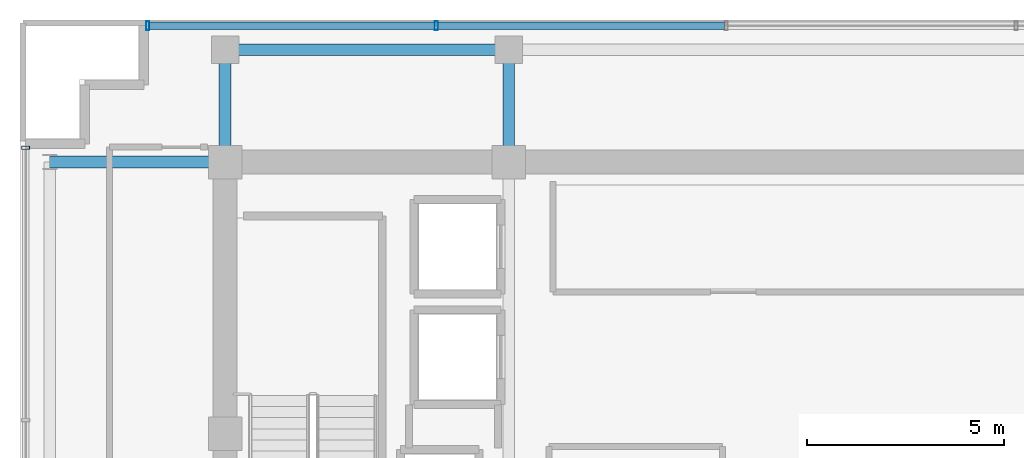
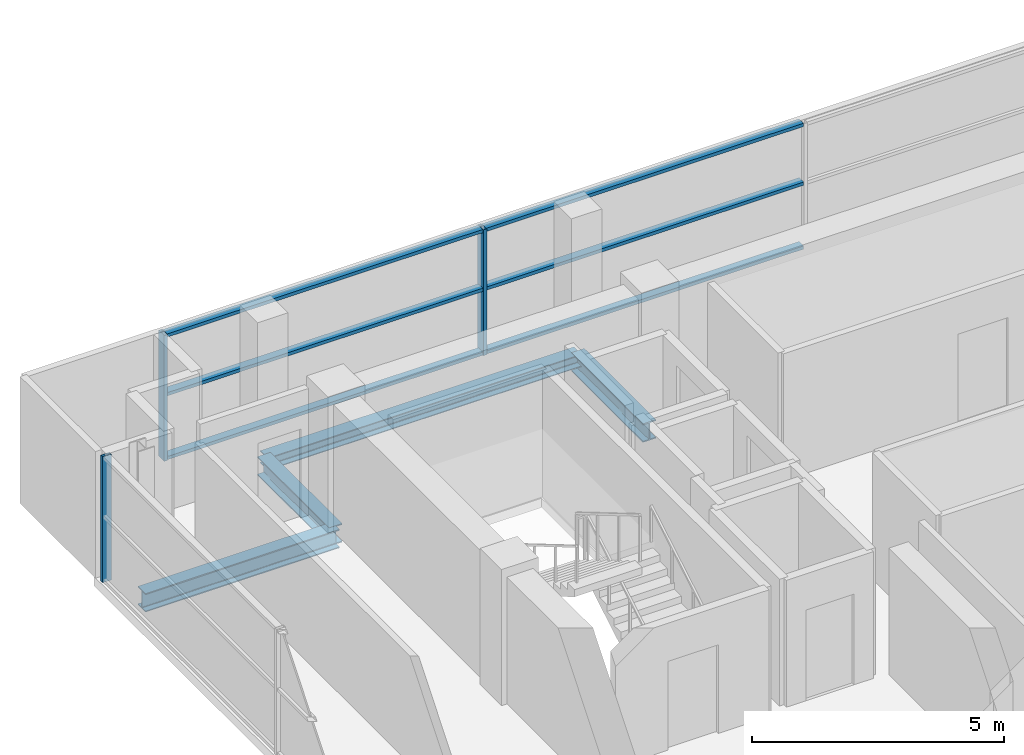
# One storey, part 10 of 22: 9 members, 4 beams, 2 elements without a shape of their own.
"""IFC4 building model written with IfcOpenShell, lengths in metres."""

from ifc_helpers import new_model, si_unit, direction, frame, origin, origin_2d, place, context, subcontext, project, spatial, hollow_rectangle, i_section, extrude, source, transform, mapped, material, layer, layer_set, material_profile, profile_set, type_object, element, aggregate, save


model = new_model("IFC4")

# Units and contexts
model_context = context("Model", 3, precision=1e-05, world=origin(), true_north=direction((0.0, 1.0)))
body_context = subcontext(model_context, "Body", "Model", "MODEL_VIEW")
ifc_project = project(units=[si_unit("LENGTHUNIT", "METRE"), si_unit("AREAUNIT", "SQUARE_METRE"), si_unit("VOLUMEUNIT", "CUBIC_METRE"), si_unit("PLANEANGLEUNIT", "RADIAN"), si_unit("MASSUNIT", "GRAM", prefix="KILO")], contexts=[model_context])

# Site, building, storey
site_placement = place(None, origin())
site = spatial("IfcSite", under=ifc_project, at=site_placement, CompositionType="ELEMENT")
building_placement = place(site_placement, origin())
building = spatial("IfcBuilding", under=site, at=building_placement, Name="Zarnakvel Exchange Tower", CompositionType="ELEMENT")
storey_placement = place(building_placement, frame((0.0, 0.0, 251.800048828125)))
storey = spatial("IfcBuildingStorey", under=building, at=storey_placement, Name="L71", CompositionType="ELEMENT", Elevation=251.800048828125)

# Beams
ifc_material_1 = material(Name="Steel S355", Category="steel")
ifc_material_profile_1 = material_profile(ifc_material_1, i_section(OverallWidth=0.300048828125, OverallDepth=0.449951171875, WebThickness=0.013916015625, FlangeThickness=0.02587890625, FilletRadius=0.027099609375, at=origin_2d()))
ifc_profile_set_1 = profile_set([ifc_material_profile_1], Name="Steel S355")
beam_type_1 = type_object("IfcBeamType", Name="G-07", PredefinedType="BEAM", material=ifc_profile_set_1)
beam_1_placement = place(storey_placement, frame((-18.85009765625, 13.5, -0.449951171875), z_axis=(1.0, 0.0, 0.0), x_axis=(0.0, 1.0, 0.0)))
element("IfcBeam", 1, at=beam_1_placement, inside=storey, type_object=beam_type_1, Name="L71 Tower E-W Frame Beam", PredefinedType="BEAM", context=body_context, shape_type="SweptSolid", body=[
    extrude(i_section(OverallWidth=0.300048828125, OverallDepth=0.449951171875, WebThickness=0.013916015625, FlangeThickness=0.02587890625, FilletRadius=0.027099609375, at=origin_2d()), origin(), (0.0, 0.0, 1.0), 4.4501953125),
])
for number, where, z_axis, x_axis, name in (
    (2, (-14.39990234375, 13.5, -0.449951171875), (0.0, 1.0, 0.0), (-1.0, 0.0, 0.0), "L71 Tower N-S Frame Beam"),
    (3, (-7.199951171875, 13.5, -0.449951171875), (0.0, 1.0, 0.0), (-1.0, 0.0, 0.0), "L71 Tower N-S Frame Beam"),
):
    element("IfcBeam", number, at=place(storey_placement, frame(where, z_axis=z_axis, x_axis=x_axis)), inside=storey, type_object=beam_type_1, Name=name, PredefinedType="BEAM", context=body_context, shape_type="SweptSolid", body=[
        extrude(i_section(OverallWidth=0.300048828125, OverallDepth=0.449951171875, WebThickness=0.013916015625, FlangeThickness=0.02587890625, FilletRadius=0.027099609375, at=origin_2d()), origin(), (0.0, 0.0, 1.0), 2.85009765625),
    ])
ifc_material_profile_2 = material_profile(ifc_material_1, i_section(OverallWidth=0.300048828125, OverallDepth=0.300048828125, WebThickness=0.010986328125, FlangeThickness=0.01904296875, FilletRadius=0.027099609375, at=origin_2d()))
ifc_profile_set_2 = profile_set([ifc_material_profile_2], Name="Steel S355")
beam_type_2 = type_object("IfcBeamType", Name="SP-03", PredefinedType="SPANDREL", material=ifc_profile_set_2)
beam_2_placement = place(storey_placement, frame((-14.39990234375, 16.35009765625, -0.375), z_axis=(1.0, 0.0, 0.0), x_axis=(0.0, 1.0, 0.0)))
element("IfcBeam", 4, at=beam_2_placement, inside=storey, type_object=beam_type_2, Name="L71 Tower E-W Frame Beam", PredefinedType="SPANDREL", context=body_context, shape_type="SweptSolid", body=[
    extrude(i_section(OverallWidth=0.300048828125, OverallDepth=0.300048828125, WebThickness=0.010986328125, FlangeThickness=0.01904296875, FilletRadius=0.027099609375, at=origin_2d()), origin(), (0.0, 0.0, 1.0), 7.199951171875),
])

# Curtain wall, member
ifc_material_2 = material(Name="Architectural Bronze Anodised Aluminium", Category="aluminium")
ifc_layer_1 = layer(ifc_material_2, 0.199951171875)
ifc_layer_set_1 = layer_set([ifc_layer_1], Name="Architectural Bronze Anodised Aluminium")
curtain_wall_type_1 = type_object("IfcCurtainWallType", Name="CW-04", PredefinedType="NOTDEFINED", material=ifc_layer_set_1)
curtain_wall_1_placement = place(storey_placement, origin())
curtain_wall_1 = element("IfcCurtainWall", 5, at=curtain_wall_1_placement, inside=storey, type_object=curtain_wall_type_1, Name="L71 Curtain Wall CW-L71-W1 (CW-04)", PredefinedType="NOTDEFINED")
ifc_material_profile_3 = material_profile(ifc_material_2, hollow_rectangle(XDim=0.199951171875, YDim=0.074951171875, WallThickness=0.0048828125, at=origin_2d()))
ifc_profile_set_3 = profile_set([ifc_material_profile_3], Name="Architectural Bronze Anodised Aluminium")
member_type_1 = type_object("IfcMemberType", Name="CWM-04", PredefinedType="MULLION", material=ifc_profile_set_3)
shared_shape_1 = source(origin(), body_context, "Body", "SweptSolid", [
    extrude(hollow_rectangle(XDim=0.199951171875, YDim=0.074951171875, WallThickness=0.0048828125, at=origin_2d()), origin(), (0.0, 0.0, 1.0), 3.054931640625),
])
member_1_placement = place(storey_placement, frame((-19.4599609375, 13.862548828125, 0.0), z_axis=(0.0, 0.0, 1.0), x_axis=(-1.0, 0.0, 0.0)))
member_1 = element("IfcMember", 6, at=member_1_placement, type_object=member_type_1, Name="CW-04 mullion 5", PredefinedType="MULLION", context=body_context, shape_type="MappedRepresentation", body=[
    mapped(shared_shape_1, transform((0.0, 0.0, 0.0), x_axis=(1.0, 0.0, 0.0), y_axis=(0.0, 1.0, 0.0), z_axis=(0.0, 0.0, 1.0), scale=1.0)),
])
aggregate(curtain_wall_1, [member_1])

# Curtain wall, members
ifc_layer_2 = layer(ifc_material_2, 0.219970703125)
ifc_layer_set_2 = layer_set([ifc_layer_2], Name="Architectural Bronze Anodised Aluminium")
curtain_wall_type_2 = type_object("IfcCurtainWallType", Name="CW-03", PredefinedType="NOTDEFINED", material=ifc_layer_set_2)
curtain_wall_2_placement = place(storey_placement, origin())
curtain_wall_2 = element("IfcCurtainWall", 7, at=curtain_wall_2_placement, inside=storey, type_object=curtain_wall_type_2, Name="L71 Curtain Wall CW-L71-N1 (CW-03)", PredefinedType="NOTDEFINED")
ifc_material_profile_4 = material_profile(ifc_material_2, hollow_rectangle(XDim=0.219970703125, YDim=0.080078125, WallThickness=0.0048828125, at=origin_2d()))
ifc_profile_set_4 = profile_set([ifc_material_profile_4], Name="Architectural Bronze Anodised Aluminium")
member_type_2 = type_object("IfcMemberType", Name="CWM-03", PredefinedType="MULLION", material=ifc_profile_set_4)
shared_shape_2 = source(origin(), body_context, "Body", "SweptSolid", [
    extrude(hollow_rectangle(XDim=0.219970703125, YDim=0.080078125, WallThickness=0.0048828125, at=origin_2d()), origin(), (0.0, 0.0, 1.0), 3.054931640625),
])
member_2_placement = place(storey_placement, frame((-16.360107421875, 16.9599609375, 0.0), z_axis=(0.0, 0.0, 1.0), x_axis=(0.0, 1.0, 0.0)))
member_2 = element("IfcMember", 8, at=member_2_placement, type_object=member_type_2, Name="CW-03 mullion 1", PredefinedType="MULLION", context=body_context, shape_type="MappedRepresentation", body=[
    mapped(shared_shape_2, transform((0.0, 0.0, 0.0), x_axis=(1.0, 0.0, 0.0), y_axis=(0.0, 1.0, 0.0), z_axis=(0.0, 0.0, 1.0), scale=1.0)),
])
member_3_placement = place(storey_placement, frame((-9.0400390625, 16.9599609375, 0.0), z_axis=(0.0, 0.0, 1.0), x_axis=(0.0, 1.0, 0.0)))
member_3 = element("IfcMember", 9, at=member_3_placement, type_object=member_type_2, Name="CW-03 mullion 2", PredefinedType="MULLION", context=body_context, shape_type="MappedRepresentation", body=[
    mapped(shared_shape_2, transform((0.0, 0.0, 0.0), x_axis=(1.0, 0.0, 0.0), y_axis=(0.0, 1.0, 0.0), z_axis=(0.0, 0.0, 1.0), scale=1.0)),
])
ifc_material_profile_5 = material_profile(ifc_material_2, hollow_rectangle(XDim=0.179931640625, YDim=0.080078125, WallThickness=0.00390625, at=origin_2d()))
ifc_profile_set_5 = profile_set([ifc_material_profile_5], Name="Architectural Bronze Anodised Aluminium")
member_type_3 = type_object("IfcMemberType", Name="CWT-03", PredefinedType="USERDEFINED", material=ifc_profile_set_5)
shared_shape_3 = source(origin(), body_context, "Body", "SweptSolid", [
    extrude(hollow_rectangle(XDim=0.179931640625, YDim=0.080078125, WallThickness=0.00390625, at=origin_2d()), origin(), (0.0, 0.0, 1.0), 7.239990234375),
])
member_4_placement = place(storey_placement, frame((-16.320068359375, 16.9599609375, 0.0400390625), z_axis=(1.0, 0.0, 0.0), x_axis=(0.0, 1.0, 0.0)))
member_4 = element("IfcMember", 10, at=member_4_placement, type_object=member_type_3, Name="CW-03 transom 1.1", ObjectType="TRANSOM", PredefinedType="USERDEFINED", context=body_context, shape_type="MappedRepresentation", body=[
    mapped(shared_shape_3, transform((0.0, 0.0, 0.0), x_axis=(1.0, 0.0, 0.0), y_axis=(0.0, 1.0, 0.0), z_axis=(0.0, 0.0, 1.0), scale=1.0)),
])
member_5_placement = place(storey_placement, frame((-16.320068359375, 16.9599609375, 1.588623046875), z_axis=(1.0, 0.0, 0.0), x_axis=(0.0, 1.0, 0.0)))
member_5 = element("IfcMember", 11, at=member_5_placement, type_object=member_type_3, Name="CW-03 transom 1.2", ObjectType="TRANSOM", PredefinedType="USERDEFINED", context=body_context, shape_type="MappedRepresentation", body=[
    mapped(shared_shape_3, transform((0.0, 0.0, 0.0), x_axis=(1.0, 0.0, 0.0), y_axis=(0.0, 1.0, 0.0), z_axis=(0.0, 0.0, 1.0), scale=1.0)),
])
member_6_placement = place(storey_placement, frame((-16.320068359375, 16.9599609375, 3.014892578125), z_axis=(1.0, 0.0, 0.0), x_axis=(0.0, 1.0, 0.0)))
member_6 = element("IfcMember", 12, at=member_6_placement, type_object=member_type_3, Name="CW-03 transom 1.3", ObjectType="TRANSOM", PredefinedType="USERDEFINED", context=body_context, shape_type="MappedRepresentation", body=[
    mapped(shared_shape_3, transform((0.0, 0.0, 0.0), x_axis=(1.0, 0.0, 0.0), y_axis=(0.0, 1.0, 0.0), z_axis=(0.0, 0.0, 1.0), scale=1.0)),
])
shared_shape_4 = source(origin(), body_context, "Body", "SweptSolid", [
    extrude(hollow_rectangle(XDim=0.179931640625, YDim=0.080078125, WallThickness=0.00390625, at=origin_2d()), origin(), (0.0, 0.0, 1.0), 7.280029296875),
])
member_7_placement = place(storey_placement, frame((-9.0, 16.9599609375, 0.0400390625), z_axis=(1.0, 0.0, 0.0), x_axis=(0.0, 1.0, 0.0)))
member_7 = element("IfcMember", 13, at=member_7_placement, type_object=member_type_3, Name="CW-03 transom 2.1", ObjectType="TRANSOM", PredefinedType="USERDEFINED", context=body_context, shape_type="MappedRepresentation", body=[
    mapped(shared_shape_4, transform((0.0, 0.0, 0.0), x_axis=(1.0, 0.0, 0.0), y_axis=(0.0, 1.0, 0.0), z_axis=(0.0, 0.0, 1.0), scale=1.0)),
])
member_8_placement = place(storey_placement, frame((-9.0, 16.9599609375, 1.588623046875), z_axis=(1.0, 0.0, 0.0), x_axis=(0.0, 1.0, 0.0)))
member_8 = element("IfcMember", 14, at=member_8_placement, type_object=member_type_3, Name="CW-03 transom 2.2", ObjectType="TRANSOM", PredefinedType="USERDEFINED", context=body_context, shape_type="MappedRepresentation", body=[
    mapped(shared_shape_4, transform((0.0, 0.0, 0.0), x_axis=(1.0, 0.0, 0.0), y_axis=(0.0, 1.0, 0.0), z_axis=(0.0, 0.0, 1.0), scale=1.0)),
])
member_9_placement = place(storey_placement, frame((-9.0, 16.9599609375, 3.014892578125), z_axis=(1.0, 0.0, 0.0), x_axis=(0.0, 1.0, 0.0)))
member_9 = element("IfcMember", 15, at=member_9_placement, type_object=member_type_3, Name="CW-03 transom 2.3", ObjectType="TRANSOM", PredefinedType="USERDEFINED", context=body_context, shape_type="MappedRepresentation", body=[
    mapped(shared_shape_4, transform((0.0, 0.0, 0.0), x_axis=(1.0, 0.0, 0.0), y_axis=(0.0, 1.0, 0.0), z_axis=(0.0, 0.0, 1.0), scale=1.0)),
])
aggregate(curtain_wall_2, [member_2, member_3, member_4, member_5, member_6, member_7, member_8, member_9])

save(model, "model.ifc")
